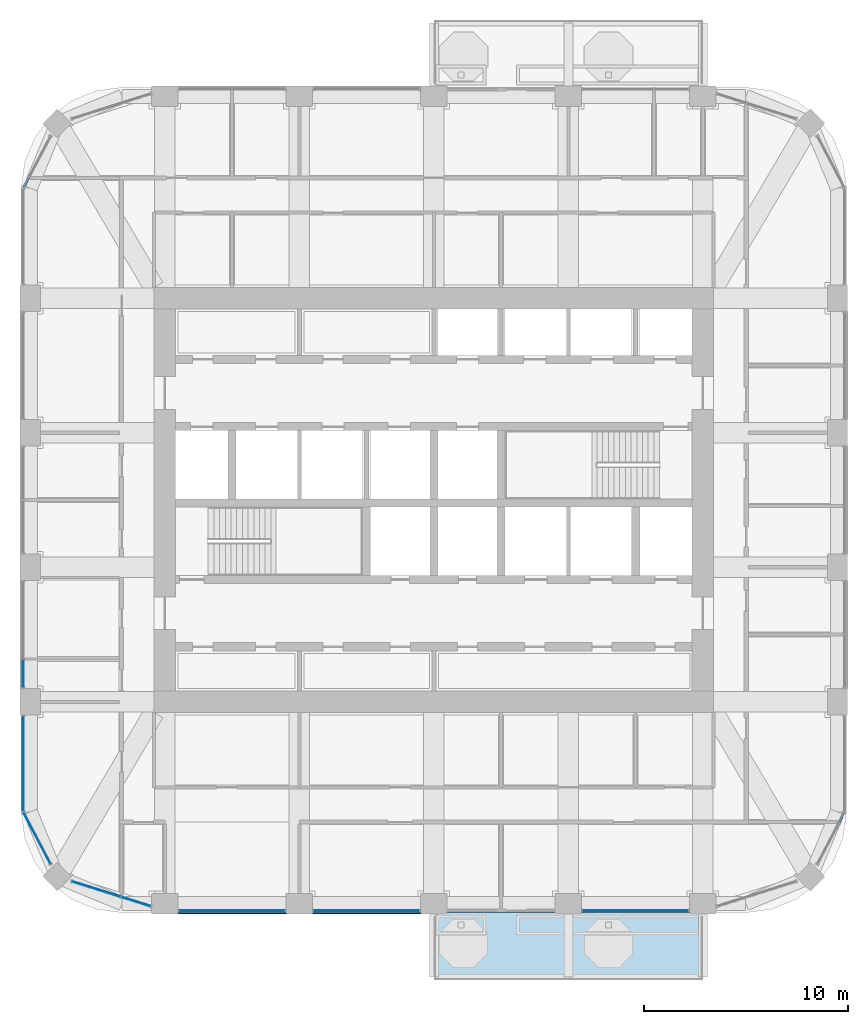
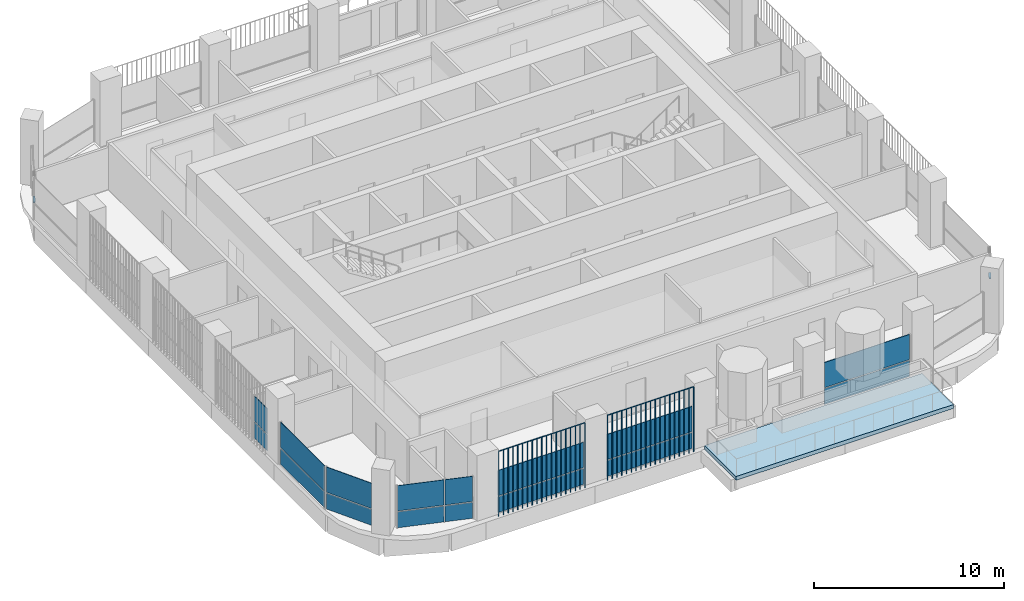
# One storey, part 8 of 21: 18 plates, 2 members, 1 slab, 9 elements without a shape of their own.
"""IFC4 building model written with IfcOpenShell, lengths in metres."""

import ifcopenshell
import ifcopenshell.guid

model = None  # the IFC model being written
_history = None  # IfcOwnerHistory: only IFC2X3 demands one
_inside = {}  # id of a spatial element -> (the spatial element, [elements in it])
_under = {}  # id of a project, library or spatial element -> (it, [spatial elements below it])
_declared = {}  # id of a project -> (the project, [libraries it declares])
_typed = {}  # id of a type object -> (the type object, [elements of that type])
_made_of = {}  # id of a material, layer set ... -> (it, [elements and type objects made of it])


def new_model(schema):
    """Start an empty IFC model of exactly this schema.

    Asked for "IFC4X3", IfcOpenShell would pick the latest addendum, in which some entities
    have other attributes; the version numbers below select the first issue.
    IFC2X3 requires an IfcOwnerHistory on every rooted entity: one is made here for all.
    """
    global model, _history
    if schema == "IFC4X3":
        model = ifcopenshell.file(schema_version=(4, 3, 0, 0))
    else:
        model = ifcopenshell.file(schema=schema)
    _inside.clear()
    _under.clear()
    _declared.clear()
    _typed.clear()
    _made_of.clear()
    _history = None
    if model.schema == "IFC2X3":
        org = make("IfcOrganization", Name="unknown")
        user = make(
            "IfcPersonAndOrganization",
            ThePerson=make("IfcPerson", FamilyName="unknown"),
            TheOrganization=org,
        )
        app = make(
            "IfcApplication",
            ApplicationDeveloper=org,
            Version="unknown",
            ApplicationFullName="unknown",
            ApplicationIdentifier="unknown",
        )
        _history = make(
            "IfcOwnerHistory",
            OwningUser=user,
            OwningApplication=app,
            ChangeAction="ADDED",
            CreationDate=0,
        )
    return model


def make(cls, **values):
    """One entity of the class cls with the attributes given. An attribute that is None is left unset."""
    return model.create_entity(
        cls, **{name: value for name, value in values.items() if value is not None}
    )


def rooted(cls, **values):
    """An entity with a GlobalId (a new one), such as an element, a storey or a relation."""
    return make(cls, GlobalId=ifcopenshell.guid.new(), OwnerHistory=_history, **values)


def si_unit(unit_type, name, prefix=None):
    """IfcSIUnit, for example si_unit("LENGTHUNIT", "METRE", prefix="MILLI")."""
    return make("IfcSIUnit", UnitType=unit_type, Prefix=prefix, Name=name)


def assignment(units):
    """IfcUnitAssignment: the units of a project."""
    return None if units is None else make("IfcUnitAssignment", Units=units)


def point(xyz):
    """IfcCartesianPoint."""
    return None if xyz is None else make("IfcCartesianPoint", Coordinates=xyz)


def direction(xyz):
    """IfcDirection."""
    return None if xyz is None else make("IfcDirection", DirectionRatios=xyz)


def frame(location, z_axis=None, x_axis=None):
    """IfcAxis2Placement3D, a coordinate frame: its origin and axes. An axis left out is left unset."""
    return make(
        "IfcAxis2Placement3D",
        Location=point(location),
        Axis=direction(z_axis),
        RefDirection=direction(x_axis),
    )


def frame_2d(location, x_axis=None):
    """IfcAxis2Placement2D, a coordinate frame in the plane: its origin and x axis."""
    return make(
        "IfcAxis2Placement2D", Location=point(location), RefDirection=direction(x_axis)
    )


def origin():
    """The frame at (0, 0, 0) with its axes left unset."""
    return frame((0.0, 0.0, 0.0))


def origin_2d():
    """The frame at (0, 0) in the plane with its x axis left unset."""
    return frame_2d((0.0, 0.0))


def place(relative_to, where):
    """IfcLocalPlacement: puts the frame where relative to a parent placement (None: the world)."""
    return make(
        "IfcLocalPlacement", PlacementRelTo=relative_to, RelativePlacement=where
    )


def context(
    kind, dimensions, precision=None, world=None, true_north=None, identifier=None
):
    """IfcGeometricRepresentationContext, for example the 3D "Model" context."""
    return make(
        "IfcGeometricRepresentationContext",
        ContextIdentifier=identifier,
        ContextType=kind,
        CoordinateSpaceDimension=dimensions,
        Precision=precision,
        WorldCoordinateSystem=world,
        TrueNorth=true_north,
    )


def subcontext(parent, identifier, kind, view, scale=None):
    """IfcGeometricRepresentationSubContext, for example "Body" below "Model"."""
    return make(
        "IfcGeometricRepresentationSubContext",
        ContextIdentifier=identifier,
        ContextType=kind,
        ParentContext=parent,
        TargetScale=scale,
        TargetView=view,
    )


def project(units=None, contexts=None):
    """IfcProject with its units and contexts."""
    return rooted(
        "IfcProject",
        Name="project",
        RepresentationContexts=contexts,
        UnitsInContext=assignment(units),
    )


def spatial(cls, under=None, at=None, **own):
    """A site, building, storey or space (cls), placed at a placement, below another one or the project."""
    s = rooted(cls, ObjectPlacement=at, **own)
    if under is not None:
        _under.setdefault(under.id(), (under, []))[1].append(s)
    return s


def polyline(points):
    """IfcPolyline through the points."""
    return make("IfcPolyline", Points=[point(p) for p in points])


def profile(cls, at=None, kind="AREA", **sizes):
    """A parametric profile (cls). Its sizes go by their IFC names, for example OverallWidth=200.0."""
    return make(cls, ProfileType=kind, Position=at, **sizes)


def rectangle(**sizes):
    """IfcRectangleProfileDef."""
    return profile("IfcRectangleProfileDef", **sizes)


def outline(outer, holes=None, kind="AREA"):
    """IfcArbitraryClosedProfileDef: a profile drawn as a closed curve; with holes, ...WithVoids."""
    if holes is None:
        return make("IfcArbitraryClosedProfileDef", ProfileType=kind, OuterCurve=outer)
    return make(
        "IfcArbitraryProfileDefWithVoids",
        ProfileType=kind,
        OuterCurve=outer,
        InnerCurves=holes,
    )


def extrude(swept, where, along, depth):
    """IfcExtrudedAreaSolid: the profile swept, set in the frame where, extruded along a direction by depth."""
    return make(
        "IfcExtrudedAreaSolid",
        SweptArea=swept,
        Position=where,
        ExtrudedDirection=direction(along),
        Depth=depth,
    )


def shape(context_of_items, identifier, shape_type, items):
    """IfcShapeRepresentation: the items that make up one representation, for example the "Body"."""
    return make(
        "IfcShapeRepresentation",
        ContextOfItems=context_of_items,
        RepresentationIdentifier=identifier,
        RepresentationType=shape_type,
        Items=items,
    )


def material(Name=None, Category=None):
    """IfcMaterial."""
    return make("IfcMaterial", Name=Name, Category=Category)


def layer(
    of_material, thickness, ventilated=None, Name=None, Category=None, Priority=None
):
    """IfcMaterialLayer: one layer of a wall or slab, of a material (None: an air gap)."""
    return make(
        "IfcMaterialLayer",
        Material=of_material,
        LayerThickness=thickness,
        IsVentilated=ventilated,
        Name=Name,
        Category=Category,
        Priority=Priority,
    )


def layer_set(layers, Name=None):
    """IfcMaterialLayerSet."""
    return make("IfcMaterialLayerSet", MaterialLayers=layers, LayerSetName=Name)


def material_profile(
    of_material, cross_section, Name=None, Category=None, Priority=None
):
    """IfcMaterialProfile: a cross section and its material."""
    return make(
        "IfcMaterialProfile",
        Name=Name,
        Material=of_material,
        Profile=cross_section,
        Priority=Priority,
        Category=Category,
    )


def profile_set(profiles, Name=None, composite=None):
    """IfcMaterialProfileSet."""
    return make(
        "IfcMaterialProfileSet",
        Name=Name,
        MaterialProfiles=profiles,
        CompositeProfile=composite,
    )


def made_of(thing, what):
    """Note that an element or type object is made of a material, layer set ...; save() writes the relation."""
    if what is not None:
        _made_of.setdefault(what.id(), (what, []))[1].append(thing)
    return thing


def type_object(cls, material=None, **own):
    """A type object (cls), such as IfcWallType, which elements share."""
    return made_of(rooted(cls, **own), material)


def element(
    cls,
    number,
    at=None,
    inside=None,
    cuts=None,
    type_object=None,
    material=None,
    context=None,
    identifier="Body",
    shape_type=None,
    held_by="IfcProductDefinitionShape",
    body=None,
    shapes=None,
    **own,
):
    """One element of the class cls, such as IfcWall. Its Tag is "e" and its number.

    at: its placement. inside: the storey or other place that contains it. cuts: it is an
    opening in that element (IfcRelVoidsElement). A single representation is given by context,
    identifier, shape_type and body (its items); several are given by shapes. held_by: the class
    of the entity that holds the representations. save() writes the other relations.
    """
    e = rooted(cls, Tag="e%d" % number, ObjectPlacement=at, **own)
    if body is not None:
        shapes = [shape(context, identifier, shape_type, body)]
    if shapes is not None:
        e.Representation = make(held_by, Representations=shapes)
    if inside is not None:
        _inside.setdefault(inside.id(), (inside, []))[1].append(e)
    if cuts is not None:
        rooted(
            "IfcRelVoidsElement", RelatingBuildingElement=cuts, RelatedOpeningElement=e
        )
    if type_object is not None:
        _typed.setdefault(type_object.id(), (type_object, []))[1].append(e)
    return made_of(e, material)


def aggregate(whole, parts):
    """IfcRelAggregates: a whole, such as a stair, and the parts it consists of."""
    return rooted("IfcRelAggregates", RelatingObject=whole, RelatedObjects=parts)


def save(model, path):
    """Write the relations noted so far, then the file.

    IfcRelAggregates (storeys below a building ...), IfcRelContainedInSpatialStructure (elements
    in a storey), IfcRelDefinesByType, IfcRelAssociatesMaterial and IfcRelDeclares: one each for
    every whole, place, type object, material and project.
    """
    for whole, parts in _under.values():
        aggregate(whole, parts)
    for where, things in _inside.values():
        rooted(
            "IfcRelContainedInSpatialStructure",
            RelatedElements=things,
            RelatingStructure=where,
        )
    for kind, things in _typed.values():
        rooted("IfcRelDefinesByType", RelatedObjects=things, RelatingType=kind)
    for what, things in _made_of.values():
        rooted("IfcRelAssociatesMaterial", RelatedObjects=things, RelatingMaterial=what)
    for by, libraries in _declared.values():
        rooted("IfcRelDeclares", RelatingContext=by, RelatedDefinitions=libraries)
    model.write(path)


model = new_model("IFC4")

# Units and contexts
model_context = context("Model", 3, precision=1e-05, world=origin(), true_north=direction((0.0, 1.0)))
body_context = subcontext(model_context, "Body", "Model", "MODEL_VIEW")
ifc_project = project(units=[si_unit("LENGTHUNIT", "METRE"), si_unit("AREAUNIT", "SQUARE_METRE"), si_unit("VOLUMEUNIT", "CUBIC_METRE"), si_unit("PLANEANGLEUNIT", "RADIAN"), si_unit("MASSUNIT", "GRAM", prefix="KILO")], contexts=[model_context])

# Site, building, storey
site_placement = place(None, origin())
site = spatial("IfcSite", under=ifc_project, at=site_placement, CompositionType="ELEMENT")
building_placement = place(site_placement, origin())
building = spatial("IfcBuilding", under=site, at=building_placement, Name="Cobogo Forest Laboratory Tower", CompositionType="ELEMENT")
storey_placement = place(building_placement, frame((0.0, 0.0, 250.199951171875)))
storey = spatial("IfcBuildingStorey", under=building, at=storey_placement, Name="L57", CompositionType="ELEMENT", Elevation=250.199951171875)

# Curtain wall, member
ifc_material_1 = material(Name="Aluminium curtain wall", Category="aluminium")
curtain_wall_type = type_object("IfcCurtainWallType", Name="CW-2 unitised curtain wall, solar control glazing, laboratory floors zones C and D", PredefinedType="USERDEFINED", material=ifc_material_1)
curtain_wall_1_placement = place(storey_placement, origin())
curtain_wall_1 = element("IfcCurtainWall", 1, at=curtain_wall_1_placement, inside=storey, type_object=curtain_wall_type, Name="Curtain wall 06 L57", ObjectType="UNITISED CURTAIN WALL", PredefinedType="USERDEFINED")
ifc_material_2 = material(Name="Aluminium transom", Category="aluminium")
ifc_material_profile = material_profile(ifc_material_2, rectangle(XDim=0.1201171875, YDim=0.06005859375, at=origin_2d()), Name="AL 60x120")
ifc_profile_set = profile_set([ifc_material_profile], Name="Aluminium transom")
member_type = type_object("IfcMemberType", Name="TR-1 aluminium transom 60x120", PredefinedType="USERDEFINED", material=ifc_profile_set)
member_1_placement = place(storey_placement, frame((46.282470703125, 7.289306640625, 1.050048828125), z_axis=(0.46414828098, 0.885757513806, 0.0), x_axis=(-0.885757513806, 0.46414828098, 0.0)))
member_1 = element("IfcMember", 2, at=member_1_placement, type_object=member_type, Name="CW-2 transom 2.1", ObjectType="TRANSOM", PredefinedType="USERDEFINED", context=body_context, shape_type="SweptSolid", body=[
    extrude(rectangle(XDim=0.1201171875, YDim=0.06005859375, at=origin_2d()), origin(), (0.0, 0.0, 1.0), 0.5166015625),
])
aggregate(curtain_wall_1, [member_1])

curtain_wall_2_placement = place(storey_placement, origin())
curtain_wall_2 = element("IfcCurtainWall", 3, at=curtain_wall_2_placement, inside=storey, type_object=curtain_wall_type, Name="Curtain wall 19 L57", ObjectType="UNITISED CURTAIN WALL", PredefinedType="USERDEFINED")
member_2_placement = place(storey_placement, frame((6.517578125, 38.91064453125, 1.050048828125), z_axis=(-0.46414828098, -0.885757513806, 0.0), x_axis=(0.885757513806, -0.46414828098, 0.0)))
member_2 = element("IfcMember", 4, at=member_2_placement, type_object=member_type, Name="CW-2 transom 2.1", ObjectType="TRANSOM", PredefinedType="USERDEFINED", context=body_context, shape_type="SweptSolid", body=[
    extrude(rectangle(XDim=0.1201171875, YDim=0.06005859375, at=origin_2d()), origin(), (0.0, 0.0, 1.0), 0.5166015625),
])
aggregate(curtain_wall_2, [member_2])

# Slab
ifc_material_3 = material(Name="Concrete HA-40 (C40/50)", Category="concrete")
ifc_layer_1 = layer(ifc_material_3, 0.25)
ifc_layer_set_1 = layer_set([ifc_layer_1], Name="Balcony slab 250")
slab_type = type_object("IfcSlabType", Name="Balcony slab 250", PredefinedType="FLOOR", material=ifc_layer_set_1)
slab_placement = place(storey_placement, frame((0.0, 0.0, -0.25)))
element("IfcSlab", 5, at=slab_placement, inside=storey, type_object=slab_type, Name="Balcony BAL-S1 L57", PredefinedType="FLOOR", context=body_context, shape_type="SweptSolid", body=[
    extrude(outline(polyline([(26.39990234375, -0.449951171875), (39.60009765625, -0.449951171875), (39.60009765625, 2.85009765625), (26.39990234375, 2.85009765625), (26.39990234375, -0.449951171875)])), origin(), (0.0, 0.0, 1.0), 0.25),
])

# Curtain wall, plates
curtain_wall_3_placement = place(storey_placement, origin())
curtain_wall_3 = element("IfcCurtainWall", 6, at=curtain_wall_3_placement, inside=storey, type_object=curtain_wall_type, Name="Curtain wall 01 L57", ObjectType="UNITISED CURTAIN WALL", PredefinedType="USERDEFINED")
ifc_material_4 = material(Name="Solar control insulated glass", Category="glass")
ifc_layer_2 = layer(ifc_material_4, 0.031982421875)
ifc_layer_set_2 = layer_set([ifc_layer_2], Name="GP-2 solar control glass unit 32")
plate_type_1 = type_object("IfcPlateType", Name="GP-2 solar control glass unit 32", PredefinedType="CURTAIN_PANEL", material=ifc_layer_set_2)
plate_1_placement = place(storey_placement, frame((16.5, 2.949951171875, 0.0), z_axis=(0.0, 0.0, 1.0), x_axis=(1.0, 0.0, 0.0)))
plate_1 = element("IfcPlate", 7, at=plate_1_placement, type_object=plate_type_1, Name="CW-2 panel 1.1", PredefinedType="CURTAIN_PANEL", context=body_context, shape_type="SweptSolid", body=[
    extrude(rectangle(XDim=5.179931640625, YDim=0.031982421875, at=origin_2d()), origin(), (0.0, 0.0, 1.0), 1.02001953125),
])
plate_2_placement = place(storey_placement, frame((16.5, 2.949951171875, 1.080078125), z_axis=(0.0, 0.0, 1.0), x_axis=(1.0, 0.0, 0.0)))
plate_2 = element("IfcPlate", 8, at=plate_2_placement, type_object=plate_type_1, Name="CW-2 panel 1.2", PredefinedType="CURTAIN_PANEL", context=body_context, shape_type="SweptSolid", body=[
    extrude(rectangle(XDim=5.179931640625, YDim=0.031982421875, at=origin_2d()), origin(), (0.0, 0.0, 1.0), 1.6201171875),
])
aggregate(curtain_wall_3, [plate_1, plate_2])

curtain_wall_4_placement = place(storey_placement, origin())
curtain_wall_4 = element("IfcCurtainWall", 9, at=curtain_wall_4_placement, inside=storey, type_object=curtain_wall_type, Name="Curtain wall 02 L57", ObjectType="UNITISED CURTAIN WALL", PredefinedType="USERDEFINED")
plate_3_placement = place(storey_placement, frame((23.10009765625, 2.949951171875, 0.0), z_axis=(0.0, 0.0, 1.0), x_axis=(1.0, 0.0, 0.0)))
plate_3 = element("IfcPlate", 10, at=plate_3_placement, type_object=plate_type_1, Name="CW-2 panel 1.1", PredefinedType="CURTAIN_PANEL", context=body_context, shape_type="SweptSolid", body=[
    extrude(rectangle(XDim=5.179931640625, YDim=0.031982421875, at=origin_2d()), origin(), (0.0, 0.0, 1.0), 1.02001953125),
])
plate_4_placement = place(storey_placement, frame((23.10009765625, 2.949951171875, 1.080078125), z_axis=(0.0, 0.0, 1.0), x_axis=(1.0, 0.0, 0.0)))
plate_4 = element("IfcPlate", 11, at=plate_4_placement, type_object=plate_type_1, Name="CW-2 panel 1.2", PredefinedType="CURTAIN_PANEL", context=body_context, shape_type="SweptSolid", body=[
    extrude(rectangle(XDim=5.179931640625, YDim=0.031982421875, at=origin_2d()), origin(), (0.0, 0.0, 1.0), 1.6201171875),
])
aggregate(curtain_wall_4, [plate_3, plate_4])

curtain_wall_5_placement = place(storey_placement, origin())
curtain_wall_5 = element("IfcCurtainWall", 12, at=curtain_wall_5_placement, inside=storey, type_object=curtain_wall_type, Name="Curtain wall 04 L57", ObjectType="UNITISED CURTAIN WALL", PredefinedType="USERDEFINED")
plate_5_placement = place(storey_placement, frame((36.300048828125, 2.949951171875, 0.0), z_axis=(0.0, 0.0, 1.0), x_axis=(1.0, 0.0, 0.0)))
plate_5 = element("IfcPlate", 13, at=plate_5_placement, type_object=plate_type_1, Name="CW-2 panel 1.1", PredefinedType="CURTAIN_PANEL", context=body_context, shape_type="SweptSolid", body=[
    extrude(rectangle(XDim=5.179931640625, YDim=0.031982421875, at=origin_2d()), origin(), (0.0, 0.0, 1.0), 1.02001953125),
])
plate_6_placement = place(storey_placement, frame((36.300048828125, 2.949951171875, 1.080078125), z_axis=(0.0, 0.0, 1.0), x_axis=(1.0, 0.0, 0.0)))
plate_6 = element("IfcPlate", 14, at=plate_6_placement, type_object=plate_type_1, Name="CW-2 panel 1.2", PredefinedType="CURTAIN_PANEL", context=body_context, shape_type="SweptSolid", body=[
    extrude(rectangle(XDim=5.179931640625, YDim=0.031982421875, at=origin_2d()), origin(), (0.0, 0.0, 1.0), 1.6201171875),
])
aggregate(curtain_wall_5, [plate_5, plate_6])

curtain_wall_6_placement = place(storey_placement, origin())
curtain_wall_6 = element("IfcCurtainWall", 15, at=curtain_wall_6_placement, inside=storey, type_object=curtain_wall_type, Name="Curtain wall 23 L57", ObjectType="UNITISED CURTAIN WALL", PredefinedType="USERDEFINED")
plate_7_placement = place(storey_placement, frame((6.25, 14.590087890625, 0.0), z_axis=(0.0, 0.0, 1.0), x_axis=(0.0, -1.0, 0.0)))
plate_7 = element("IfcPlate", 16, at=plate_7_placement, type_object=plate_type_1, Name="CW-2 panel 2.1", PredefinedType="CURTAIN_PANEL", context=body_context, shape_type="SweptSolid", body=[
    extrude(rectangle(XDim=1.360107421875, YDim=0.031982421875, at=origin_2d()), origin(), (0.0, 0.0, 1.0), 1.02001953125),
])
plate_8_placement = place(storey_placement, frame((6.25, 14.590087890625, 1.080078125), z_axis=(0.0, 0.0, 1.0), x_axis=(0.0, -1.0, 0.0)))
plate_8 = element("IfcPlate", 17, at=plate_8_placement, type_object=plate_type_1, Name="CW-2 panel 2.2", PredefinedType="CURTAIN_PANEL", context=body_context, shape_type="SweptSolid", body=[
    extrude(rectangle(XDim=1.360107421875, YDim=0.031982421875, at=origin_2d()), origin(), (0.0, 0.0, 1.0), 1.6201171875),
])
aggregate(curtain_wall_6, [plate_7, plate_8])

curtain_wall_7_placement = place(storey_placement, origin())
curtain_wall_7 = element("IfcCurtainWall", 18, at=curtain_wall_7_placement, inside=storey, type_object=curtain_wall_type, Name="Curtain wall 24 L57", ObjectType="UNITISED CURTAIN WALL", PredefinedType="USERDEFINED")
plate_9_placement = place(storey_placement, frame((6.25, 10.175048828125, 0.0), z_axis=(0.0, 0.0, 1.0), x_axis=(0.0, -1.0, 0.0)))
plate_9 = element("IfcPlate", 19, at=plate_9_placement, type_object=plate_type_1, Name="CW-2 panel 1.1", PredefinedType="CURTAIN_PANEL", context=body_context, shape_type="SweptSolid", body=[
    extrude(rectangle(XDim=4.6298828125, YDim=0.031982421875, at=origin_2d()), origin(), (0.0, 0.0, 1.0), 1.02001953125),
])
plate_10_placement = place(storey_placement, frame((6.25, 10.175048828125, 1.080078125), z_axis=(0.0, 0.0, 1.0), x_axis=(0.0, -1.0, 0.0)))
plate_10 = element("IfcPlate", 20, at=plate_10_placement, type_object=plate_type_1, Name="CW-2 panel 1.2", PredefinedType="CURTAIN_PANEL", context=body_context, shape_type="SweptSolid", body=[
    extrude(rectangle(XDim=4.6298828125, YDim=0.031982421875, at=origin_2d()), origin(), (0.0, 0.0, 1.0), 1.6201171875),
])
aggregate(curtain_wall_7, [plate_9, plate_10])

curtain_wall_8_placement = place(storey_placement, origin())
curtain_wall_8 = element("IfcCurtainWall", 21, at=curtain_wall_8_placement, inside=storey, type_object=curtain_wall_type, Name="Curtain wall 25 L57", ObjectType="UNITISED CURTAIN WALL", PredefinedType="USERDEFINED")
plate_11_placement = place(storey_placement, frame((6.930908203125, 6.501220703125, 0.0), z_axis=(0.0, 0.0, 1.0), x_axis=(0.464283791352, -0.885686491422, 0.0)))
plate_11 = element("IfcPlate", 22, at=plate_11_placement, type_object=plate_type_1, Name="CW-2 panel 1.1", PredefinedType="CURTAIN_PANEL", context=body_context, shape_type="SweptSolid", body=[
    extrude(rectangle(XDim=2.812744140625, YDim=0.031982421875, at=origin_2d()), origin(), (0.0, 0.0, 1.0), 1.02001953125),
])
plate_12_placement = place(storey_placement, frame((6.930908203125, 6.501220703125, 1.080078125), z_axis=(0.0, 0.0, 1.0), x_axis=(0.464283791352, -0.885686491422, 0.0)))
plate_12 = element("IfcPlate", 23, at=plate_12_placement, type_object=plate_type_1, Name="CW-2 panel 1.2", PredefinedType="CURTAIN_PANEL", context=body_context, shape_type="SweptSolid", body=[
    extrude(rectangle(XDim=2.812744140625, YDim=0.031982421875, at=origin_2d()), origin(), (0.0, 0.0, 1.0), 1.6201171875),
])
aggregate(curtain_wall_8, [plate_11, plate_12])

curtain_wall_9_placement = place(storey_placement, origin())
curtain_wall_9 = element("IfcCurtainWall", 24, at=curtain_wall_9_placement, inside=storey, type_object=curtain_wall_type, Name="Curtain wall 26 L57", ObjectType="UNITISED CURTAIN WALL", PredefinedType="USERDEFINED")
plate_13_placement = place(storey_placement, frame((9.83740234375, 4.011962890625, 0.0), z_axis=(0.0, 0.0, 1.0), x_axis=(0.953581386052, -0.301135418334, 0.0)))
plate_13 = element("IfcPlate", 25, at=plate_13_placement, type_object=plate_type_1, Name="CW-2 panel 1.1", PredefinedType="CURTAIN_PANEL", context=body_context, shape_type="SweptSolid", body=[
    extrude(rectangle(XDim=2.4853515625, YDim=0.031982421875, at=origin_2d()), origin(), (0.0, 0.0, 1.0), 1.02001953125),
])
plate_14_placement = place(storey_placement, frame((9.83740234375, 4.011962890625, 1.080078125), z_axis=(0.0, 0.0, 1.0), x_axis=(0.953581386052, -0.301135418334, 0.0)))
plate_14 = element("IfcPlate", 26, at=plate_14_placement, type_object=plate_type_1, Name="CW-2 panel 1.2", PredefinedType="CURTAIN_PANEL", context=body_context, shape_type="SweptSolid", body=[
    extrude(rectangle(XDim=2.4853515625, YDim=0.031982421875, at=origin_2d()), origin(), (0.0, 0.0, 1.0), 1.6201171875),
])
plate_15_placement = place(storey_placement, frame((11.7861328125, 3.396484375, 0.0), z_axis=(0.0, 0.0, 1.0), x_axis=(0.953581386052, -0.301135418334, 0.0)))
plate_15 = element("IfcPlate", 27, at=plate_15_placement, type_object=plate_type_1, Name="CW-2 panel 2.1", PredefinedType="CURTAIN_PANEL", context=body_context, shape_type="SweptSolid", body=[
    extrude(rectangle(XDim=1.482177734375, YDim=0.031982421875, at=origin_2d()), origin(), (0.0, 0.0, 1.0), 1.02001953125),
])
plate_16_placement = place(storey_placement, frame((11.7861328125, 3.396484375, 1.080078125), z_axis=(0.0, 0.0, 1.0), x_axis=(0.953581386052, -0.301135418334, 0.0)))
plate_16 = element("IfcPlate", 28, at=plate_16_placement, type_object=plate_type_1, Name="CW-2 panel 2.2", PredefinedType="CURTAIN_PANEL", context=body_context, shape_type="SweptSolid", body=[
    extrude(rectangle(XDim=1.482177734375, YDim=0.031982421875, at=origin_2d()), origin(), (0.0, 0.0, 1.0), 1.6201171875),
])
aggregate(curtain_wall_9, [plate_13, plate_14, plate_15, plate_16])

# Plates
ifc_material_5 = material(Name="Terracotta", Category="masonry")
plate_type_2 = type_object("IfcPlateType", Name="TB1 terracotta baguette screen", PredefinedType="USERDEFINED", material=ifc_material_5)
plate_17_placement = place(storey_placement, frame((13.88134765625, 2.822021484375, -0.14990234375)))
element("IfcPlate", 29, at=plate_17_placement, inside=storey, type_object=plate_type_2, Name="Baguette screen S1 L57", ObjectType="BAGUETTE SCREEN", PredefinedType="USERDEFINED", context=body_context, shape_type="SweptSolid", body=[
    extrude(outline(polyline([(0.02880859375, 0.011962890625), (0.011962890625, 0.02880859375), (-0.011962890625, 0.02880859375), (-0.02880859375, 0.011962890625), (-0.02880859375, -0.011962890625), (-0.011962890625, -0.02880859375), (0.011962890625, -0.02880859375), (0.02880859375, -0.011962890625), (0.02880859375, 0.011962890625)])), frame((0.0, 0.0, 4.168701171875), z_axis=(1.0, 0.0, 0.0), x_axis=(0.0, 1.0, 0.0)), (0.0, 0.0, 1.0), 5.2373046875),
    extrude(outline(polyline([(0.02880859375, 0.011962890625), (0.011962890625, 0.02880859375), (-0.011962890625, 0.02880859375), (-0.02880859375, 0.011962890625), (-0.02880859375, -0.011962890625), (-0.011962890625, -0.02880859375), (0.011962890625, -0.02880859375), (0.02880859375, -0.011962890625), (0.02880859375, 0.011962890625)])), origin(), (0.0, 0.0, 1.0), 4.137451171875),
    extrude(outline(polyline([(0.02880859375, 0.011962890625), (0.011962890625, 0.02880859375), (-0.011962890625, 0.02880859375), (-0.02880859375, 0.011962890625), (-0.02880859375, -0.011962890625), (-0.011962890625, -0.02880859375), (0.011962890625, -0.02880859375), (0.02880859375, -0.011962890625), (0.02880859375, 0.011962890625)])), frame((0.291015625, 0.0, 0.0)), (0.0, 0.0, 1.0), 4.137451171875),
    extrude(outline(polyline([(0.02880859375, 0.011962890625), (0.011962890625, 0.02880859375), (-0.011962890625, 0.02880859375), (-0.02880859375, 0.011962890625), (-0.02880859375, -0.011962890625), (-0.011962890625, -0.02880859375), (0.011962890625, -0.02880859375), (0.02880859375, -0.011962890625), (0.02880859375, 0.011962890625)])), frame((0.58203125, 0.0, 0.0)), (0.0, 0.0, 1.0), 4.137451171875),
    extrude(outline(polyline([(0.02880859375, 0.011962890625), (0.011962890625, 0.02880859375), (-0.011962890625, 0.02880859375), (-0.02880859375, 0.011962890625), (-0.02880859375, -0.011962890625), (-0.011962890625, -0.02880859375), (0.011962890625, -0.02880859375), (0.02880859375, -0.011962890625), (0.02880859375, 0.011962890625)])), frame((0.872802734375, 0.0, 0.0)), (0.0, 0.0, 1.0), 4.137451171875),
    extrude(outline(polyline([(0.02880859375, 0.011962890625), (0.011962890625, 0.02880859375), (-0.011962890625, 0.02880859375), (-0.02880859375, 0.011962890625), (-0.02880859375, -0.011962890625), (-0.011962890625, -0.02880859375), (0.011962890625, -0.02880859375), (0.02880859375, -0.011962890625), (0.02880859375, 0.011962890625)])), frame((1.163818359375, 0.0, 0.0)), (0.0, 0.0, 1.0), 4.137451171875),
    extrude(outline(polyline([(0.02880859375, 0.011962890625), (0.011962890625, 0.02880859375), (-0.011962890625, 0.02880859375), (-0.02880859375, 0.011962890625), (-0.02880859375, -0.011962890625), (-0.011962890625, -0.02880859375), (0.011962890625, -0.02880859375), (0.02880859375, -0.011962890625), (0.02880859375, 0.011962890625)])), frame((1.454833984375, 0.0, 0.0)), (0.0, 0.0, 1.0), 4.137451171875),
    extrude(outline(polyline([(0.02880859375, 0.011962890625), (0.011962890625, 0.02880859375), (-0.011962890625, 0.02880859375), (-0.02880859375, 0.011962890625), (-0.02880859375, -0.011962890625), (-0.011962890625, -0.02880859375), (0.011962890625, -0.02880859375), (0.02880859375, -0.011962890625), (0.02880859375, 0.011962890625)])), frame((1.745849609375, 0.0, 0.0)), (0.0, 0.0, 1.0), 4.137451171875),
    extrude(outline(polyline([(0.02880859375, 0.011962890625), (0.011962890625, 0.02880859375), (-0.011962890625, 0.02880859375), (-0.02880859375, 0.011962890625), (-0.02880859375, -0.011962890625), (-0.011962890625, -0.02880859375), (0.011962890625, -0.02880859375), (0.02880859375, -0.011962890625), (0.02880859375, 0.011962890625)])), frame((2.03662109375, 0.0, 0.0)), (0.0, 0.0, 1.0), 4.137451171875),
    extrude(outline(polyline([(0.02880859375, 0.011962890625), (0.011962890625, 0.02880859375), (-0.011962890625, 0.02880859375), (-0.02880859375, 0.011962890625), (-0.02880859375, -0.011962890625), (-0.011962890625, -0.02880859375), (0.011962890625, -0.02880859375), (0.02880859375, -0.011962890625), (0.02880859375, 0.011962890625)])), frame((2.32763671875, 0.0, 0.0)), (0.0, 0.0, 1.0), 4.137451171875),
    extrude(outline(polyline([(0.02880859375, 0.011962890625), (0.011962890625, 0.02880859375), (-0.011962890625, 0.02880859375), (-0.02880859375, 0.011962890625), (-0.02880859375, -0.011962890625), (-0.011962890625, -0.02880859375), (0.011962890625, -0.02880859375), (0.02880859375, -0.011962890625), (0.02880859375, 0.011962890625)])), frame((2.61865234375, 0.0, 0.0)), (0.0, 0.0, 1.0), 4.137451171875),
    extrude(outline(polyline([(0.02880859375, 0.011962890625), (0.011962890625, 0.02880859375), (-0.011962890625, 0.02880859375), (-0.02880859375, 0.011962890625), (-0.02880859375, -0.011962890625), (-0.011962890625, -0.02880859375), (0.011962890625, -0.02880859375), (0.02880859375, -0.011962890625), (0.02880859375, 0.011962890625)])), frame((2.90966796875, 0.0, 0.0)), (0.0, 0.0, 1.0), 4.137451171875),
    extrude(outline(polyline([(0.02880859375, 0.011962890625), (0.011962890625, 0.02880859375), (-0.011962890625, 0.02880859375), (-0.02880859375, 0.011962890625), (-0.02880859375, -0.011962890625), (-0.011962890625, -0.02880859375), (0.011962890625, -0.02880859375), (0.02880859375, -0.011962890625), (0.02880859375, 0.011962890625)])), frame((3.20068359375, 0.0, 0.0)), (0.0, 0.0, 1.0), 4.137451171875),
    extrude(outline(polyline([(0.02880859375, 0.011962890625), (0.011962890625, 0.02880859375), (-0.011962890625, 0.02880859375), (-0.02880859375, 0.011962890625), (-0.02880859375, -0.011962890625), (-0.011962890625, -0.02880859375), (0.011962890625, -0.02880859375), (0.02880859375, -0.011962890625), (0.02880859375, 0.011962890625)])), frame((3.491455078125, 0.0, 0.0)), (0.0, 0.0, 1.0), 4.137451171875),
    extrude(outline(polyline([(0.02880859375, 0.011962890625), (0.011962890625, 0.02880859375), (-0.011962890625, 0.02880859375), (-0.02880859375, 0.011962890625), (-0.02880859375, -0.011962890625), (-0.011962890625, -0.02880859375), (0.011962890625, -0.02880859375), (0.02880859375, -0.011962890625), (0.02880859375, 0.011962890625)])), frame((3.782470703125, 0.0, 0.0)), (0.0, 0.0, 1.0), 4.137451171875),
    extrude(outline(polyline([(0.02880859375, 0.011962890625), (0.011962890625, 0.02880859375), (-0.011962890625, 0.02880859375), (-0.02880859375, 0.011962890625), (-0.02880859375, -0.011962890625), (-0.011962890625, -0.02880859375), (0.011962890625, -0.02880859375), (0.02880859375, -0.011962890625), (0.02880859375, 0.011962890625)])), frame((4.073486328125, 0.0, 0.0)), (0.0, 0.0, 1.0), 4.137451171875),
    extrude(outline(polyline([(0.02880859375, 0.011962890625), (0.011962890625, 0.02880859375), (-0.011962890625, 0.02880859375), (-0.02880859375, 0.011962890625), (-0.02880859375, -0.011962890625), (-0.011962890625, -0.02880859375), (0.011962890625, -0.02880859375), (0.02880859375, -0.011962890625), (0.02880859375, 0.011962890625)])), frame((4.364501953125, 0.0, 0.0)), (0.0, 0.0, 1.0), 4.137451171875),
    extrude(outline(polyline([(0.02880859375, 0.011962890625), (0.011962890625, 0.02880859375), (-0.011962890625, 0.02880859375), (-0.02880859375, 0.011962890625), (-0.02880859375, -0.011962890625), (-0.011962890625, -0.02880859375), (0.011962890625, -0.02880859375), (0.02880859375, -0.011962890625), (0.02880859375, 0.011962890625)])), frame((4.6552734375, 0.0, 0.0)), (0.0, 0.0, 1.0), 4.137451171875),
    extrude(outline(polyline([(0.02880859375, 0.011962890625), (0.011962890625, 0.02880859375), (-0.011962890625, 0.02880859375), (-0.02880859375, 0.011962890625), (-0.02880859375, -0.011962890625), (-0.011962890625, -0.02880859375), (0.011962890625, -0.02880859375), (0.02880859375, -0.011962890625), (0.02880859375, 0.011962890625)])), frame((4.9462890625, 0.0, 0.0)), (0.0, 0.0, 1.0), 4.137451171875),
    extrude(outline(polyline([(0.02880859375, 0.011962890625), (0.011962890625, 0.02880859375), (-0.011962890625, 0.02880859375), (-0.02880859375, 0.011962890625), (-0.02880859375, -0.011962890625), (-0.011962890625, -0.02880859375), (0.011962890625, -0.02880859375), (0.02880859375, -0.011962890625), (0.02880859375, 0.011962890625)])), frame((5.2373046875, 0.0, 0.0)), (0.0, 0.0, 1.0), 4.137451171875),
])
plate_18_placement = place(storey_placement, frame((20.481201171875, 2.822021484375, -0.14990234375)))
element("IfcPlate", 30, at=plate_18_placement, inside=storey, type_object=plate_type_2, Name="Baguette screen S2 L57", ObjectType="BAGUETTE SCREEN", PredefinedType="USERDEFINED", context=body_context, shape_type="SweptSolid", body=[
    extrude(outline(polyline([(0.02880859375, 0.011962890625), (0.011962890625, 0.02880859375), (-0.011962890625, 0.02880859375), (-0.02880859375, 0.011962890625), (-0.02880859375, -0.011962890625), (-0.011962890625, -0.02880859375), (0.011962890625, -0.02880859375), (0.02880859375, -0.011962890625), (0.02880859375, 0.011962890625)])), frame((0.0, 0.0, 4.168701171875), z_axis=(1.0, 0.0, 0.0), x_axis=(0.0, 1.0, 0.0)), (0.0, 0.0, 1.0), 5.237548828125),
    extrude(outline(polyline([(0.02880859375, 0.011962890625), (0.011962890625, 0.02880859375), (-0.011962890625, 0.02880859375), (-0.02880859375, 0.011962890625), (-0.02880859375, -0.011962890625), (-0.011962890625, -0.02880859375), (0.011962890625, -0.02880859375), (0.02880859375, -0.011962890625), (0.02880859375, 0.011962890625)])), origin(), (0.0, 0.0, 1.0), 4.137451171875),
    extrude(outline(polyline([(0.02880859375, 0.011962890625), (0.011962890625, 0.02880859375), (-0.011962890625, 0.02880859375), (-0.02880859375, 0.011962890625), (-0.02880859375, -0.011962890625), (-0.011962890625, -0.02880859375), (0.011962890625, -0.02880859375), (0.02880859375, -0.011962890625), (0.02880859375, 0.011962890625)])), frame((0.291015625, 0.0, 0.0)), (0.0, 0.0, 1.0), 4.137451171875),
    extrude(outline(polyline([(0.02880859375, 0.011962890625), (0.011962890625, 0.02880859375), (-0.011962890625, 0.02880859375), (-0.02880859375, 0.011962890625), (-0.02880859375, -0.011962890625), (-0.011962890625, -0.02880859375), (0.011962890625, -0.02880859375), (0.02880859375, -0.011962890625), (0.02880859375, 0.011962890625)])), frame((0.58203125, 0.0, 0.0)), (0.0, 0.0, 1.0), 4.137451171875),
    extrude(outline(polyline([(0.02880859375, 0.011962890625), (0.011962890625, 0.02880859375), (-0.011962890625, 0.02880859375), (-0.02880859375, 0.011962890625), (-0.02880859375, -0.011962890625), (-0.011962890625, -0.02880859375), (0.011962890625, -0.02880859375), (0.02880859375, -0.011962890625), (0.02880859375, 0.011962890625)])), frame((0.873046875, 0.0, 0.0)), (0.0, 0.0, 1.0), 4.137451171875),
    extrude(outline(polyline([(0.02880859375, 0.011962890625), (0.011962890625, 0.02880859375), (-0.011962890625, 0.02880859375), (-0.02880859375, 0.011962890625), (-0.02880859375, -0.011962890625), (-0.011962890625, -0.02880859375), (0.011962890625, -0.02880859375), (0.02880859375, -0.011962890625), (0.02880859375, 0.011962890625)])), frame((1.163818359375, 0.0, 0.0)), (0.0, 0.0, 1.0), 4.137451171875),
    extrude(outline(polyline([(0.02880859375, 0.011962890625), (0.011962890625, 0.02880859375), (-0.011962890625, 0.02880859375), (-0.02880859375, 0.011962890625), (-0.02880859375, -0.011962890625), (-0.011962890625, -0.02880859375), (0.011962890625, -0.02880859375), (0.02880859375, -0.011962890625), (0.02880859375, 0.011962890625)])), frame((1.454833984375, 0.0, 0.0)), (0.0, 0.0, 1.0), 4.137451171875),
    extrude(outline(polyline([(0.02880859375, 0.011962890625), (0.011962890625, 0.02880859375), (-0.011962890625, 0.02880859375), (-0.02880859375, 0.011962890625), (-0.02880859375, -0.011962890625), (-0.011962890625, -0.02880859375), (0.011962890625, -0.02880859375), (0.02880859375, -0.011962890625), (0.02880859375, 0.011962890625)])), frame((1.745849609375, 0.0, 0.0)), (0.0, 0.0, 1.0), 4.137451171875),
    extrude(outline(polyline([(0.02880859375, 0.011962890625), (0.011962890625, 0.02880859375), (-0.011962890625, 0.02880859375), (-0.02880859375, 0.011962890625), (-0.02880859375, -0.011962890625), (-0.011962890625, -0.02880859375), (0.011962890625, -0.02880859375), (0.02880859375, -0.011962890625), (0.02880859375, 0.011962890625)])), frame((2.036865234375, 0.0, 0.0)), (0.0, 0.0, 1.0), 4.137451171875),
    extrude(outline(polyline([(0.02880859375, 0.011962890625), (0.011962890625, 0.02880859375), (-0.011962890625, 0.02880859375), (-0.02880859375, 0.011962890625), (-0.02880859375, -0.011962890625), (-0.011962890625, -0.02880859375), (0.011962890625, -0.02880859375), (0.02880859375, -0.011962890625), (0.02880859375, 0.011962890625)])), frame((2.327880859375, 0.0, 0.0)), (0.0, 0.0, 1.0), 4.137451171875),
    extrude(outline(polyline([(0.02880859375, 0.011962890625), (0.011962890625, 0.02880859375), (-0.011962890625, 0.02880859375), (-0.02880859375, 0.011962890625), (-0.02880859375, -0.011962890625), (-0.011962890625, -0.02880859375), (0.011962890625, -0.02880859375), (0.02880859375, -0.011962890625), (0.02880859375, 0.011962890625)])), frame((2.61865234375, 0.0, 0.0)), (0.0, 0.0, 1.0), 4.137451171875),
    extrude(outline(polyline([(0.02880859375, 0.011962890625), (0.011962890625, 0.02880859375), (-0.011962890625, 0.02880859375), (-0.02880859375, 0.011962890625), (-0.02880859375, -0.011962890625), (-0.011962890625, -0.02880859375), (0.011962890625, -0.02880859375), (0.02880859375, -0.011962890625), (0.02880859375, 0.011962890625)])), frame((2.90966796875, 0.0, 0.0)), (0.0, 0.0, 1.0), 4.137451171875),
    extrude(outline(polyline([(0.02880859375, 0.011962890625), (0.011962890625, 0.02880859375), (-0.011962890625, 0.02880859375), (-0.02880859375, 0.011962890625), (-0.02880859375, -0.011962890625), (-0.011962890625, -0.02880859375), (0.011962890625, -0.02880859375), (0.02880859375, -0.011962890625), (0.02880859375, 0.011962890625)])), frame((3.20068359375, 0.0, 0.0)), (0.0, 0.0, 1.0), 4.137451171875),
    extrude(outline(polyline([(0.02880859375, 0.011962890625), (0.011962890625, 0.02880859375), (-0.011962890625, 0.02880859375), (-0.02880859375, 0.011962890625), (-0.02880859375, -0.011962890625), (-0.011962890625, -0.02880859375), (0.011962890625, -0.02880859375), (0.02880859375, -0.011962890625), (0.02880859375, 0.011962890625)])), frame((3.49169921875, 0.0, 0.0)), (0.0, 0.0, 1.0), 4.137451171875),
    extrude(outline(polyline([(0.02880859375, 0.011962890625), (0.011962890625, 0.02880859375), (-0.011962890625, 0.02880859375), (-0.02880859375, 0.011962890625), (-0.02880859375, -0.011962890625), (-0.011962890625, -0.02880859375), (0.011962890625, -0.02880859375), (0.02880859375, -0.011962890625), (0.02880859375, 0.011962890625)])), frame((3.78271484375, 0.0, 0.0)), (0.0, 0.0, 1.0), 4.137451171875),
    extrude(outline(polyline([(0.02880859375, 0.011962890625), (0.011962890625, 0.02880859375), (-0.011962890625, 0.02880859375), (-0.02880859375, 0.011962890625), (-0.02880859375, -0.011962890625), (-0.011962890625, -0.02880859375), (0.011962890625, -0.02880859375), (0.02880859375, -0.011962890625), (0.02880859375, 0.011962890625)])), frame((4.07373046875, 0.0, 0.0)), (0.0, 0.0, 1.0), 4.137451171875),
    extrude(outline(polyline([(0.02880859375, 0.011962890625), (0.011962890625, 0.02880859375), (-0.011962890625, 0.02880859375), (-0.02880859375, 0.011962890625), (-0.02880859375, -0.011962890625), (-0.011962890625, -0.02880859375), (0.011962890625, -0.02880859375), (0.02880859375, -0.011962890625), (0.02880859375, 0.011962890625)])), frame((4.36474609375, 0.0, 0.0)), (0.0, 0.0, 1.0), 4.137451171875),
    extrude(outline(polyline([(0.02880859375, 0.011962890625), (0.011962890625, 0.02880859375), (-0.011962890625, 0.02880859375), (-0.02880859375, 0.011962890625), (-0.02880859375, -0.011962890625), (-0.011962890625, -0.02880859375), (0.011962890625, -0.02880859375), (0.02880859375, -0.011962890625), (0.02880859375, 0.011962890625)])), frame((4.655517578125, 0.0, 0.0)), (0.0, 0.0, 1.0), 4.137451171875),
    extrude(outline(polyline([(0.02880859375, 0.011962890625), (0.011962890625, 0.02880859375), (-0.011962890625, 0.02880859375), (-0.02880859375, 0.011962890625), (-0.02880859375, -0.011962890625), (-0.011962890625, -0.02880859375), (0.011962890625, -0.02880859375), (0.02880859375, -0.011962890625), (0.02880859375, 0.011962890625)])), frame((4.946533203125, 0.0, 0.0)), (0.0, 0.0, 1.0), 4.137451171875),
    extrude(outline(polyline([(0.02880859375, 0.011962890625), (0.011962890625, 0.02880859375), (-0.011962890625, 0.02880859375), (-0.02880859375, 0.011962890625), (-0.02880859375, -0.011962890625), (-0.011962890625, -0.02880859375), (0.011962890625, -0.02880859375), (0.02880859375, -0.011962890625), (0.02880859375, 0.011962890625)])), frame((5.237548828125, 0.0, 0.0)), (0.0, 0.0, 1.0), 4.137451171875),
])

save(model, "model.ifc")
